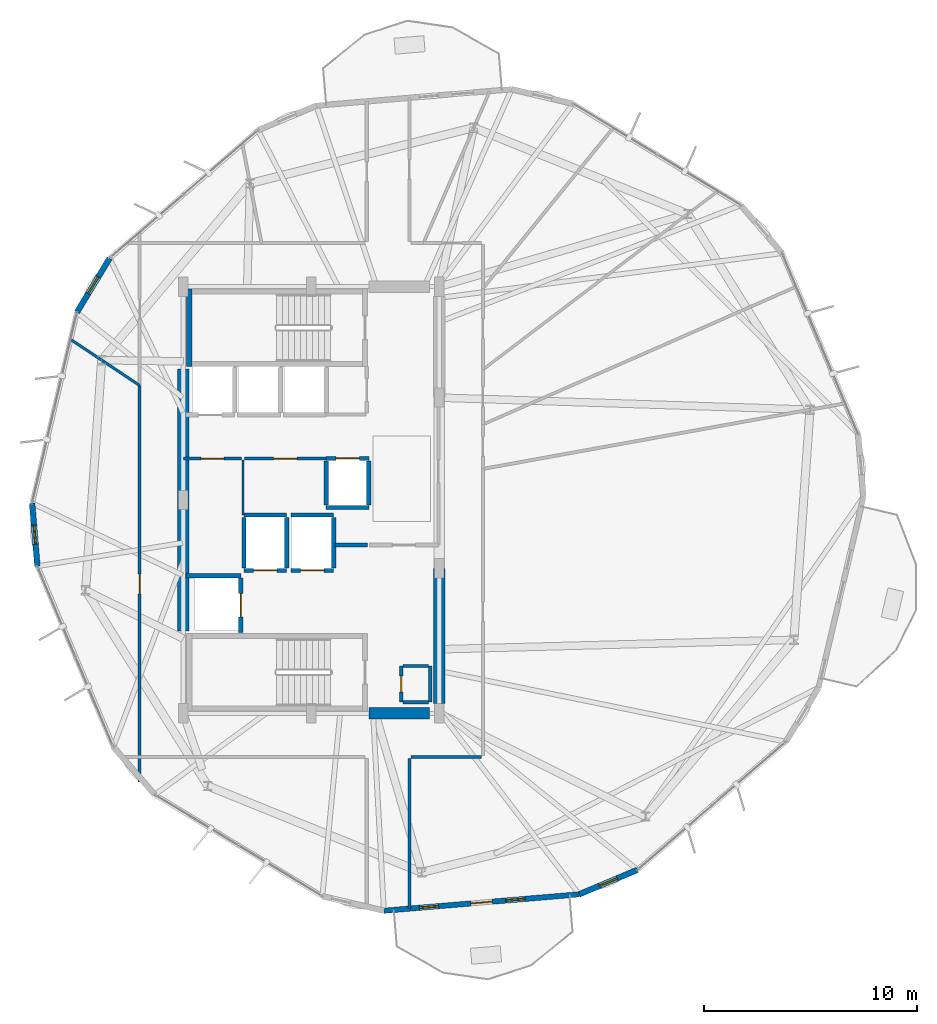
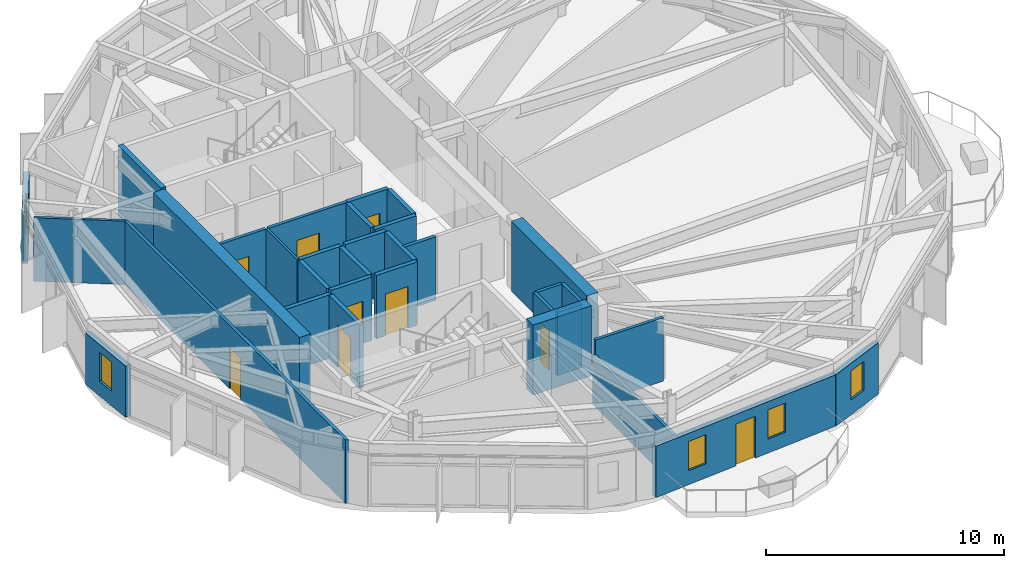
# One storey, part 22 of 27: 33 walls, 9 doors, 5 windows, 14 openings.
"""IFC4 building model written with IfcOpenShell, lengths in metres."""

from ifc_helpers import new_model, si_unit, direction, frame, frame_2d, origin, place, context, subcontext, project, spatial, rectangle, extrude, material, layer, layer_set, type_object, element, fill, save


model = new_model("IFC4")

# Units and contexts
model_context = context("Model", 3, precision=1e-05, world=origin(), true_north=direction((0.0, 1.0)))
body_context = subcontext(model_context, "Body", "Model", "MODEL_VIEW")
ifc_project = project(units=[si_unit("LENGTHUNIT", "METRE"), si_unit("AREAUNIT", "SQUARE_METRE"), si_unit("VOLUMEUNIT", "CUBIC_METRE"), si_unit("PLANEANGLEUNIT", "RADIAN"), si_unit("MASSUNIT", "GRAM", prefix="KILO")], contexts=[model_context])

# Site, building, storey
site_placement = place(None, origin())
site = spatial("IfcSite", under=ifc_project, at=site_placement, CompositionType="ELEMENT")
building_placement = place(site_placement, origin())
building = spatial("IfcBuilding", under=site, at=building_placement, Name="Soratama Intermodal Tower", CompositionType="ELEMENT")
storey_placement = place(building_placement, frame((0.0, 0.0, 182.199951171875)))
storey = spatial("IfcBuildingStorey", under=building, at=storey_placement, Name="L45", CompositionType="ELEMENT", Elevation=182.199951171875)

# Wall, openings, door, windows
ifc_material_1 = material(Name="Concrete f'c 42 MPa", Category="concrete")
ifc_layer_1 = layer(ifc_material_1, 0.25)
ifc_layer_set_1 = layer_set([ifc_layer_1], Name="Concrete f'c 42 MPa")
wall_type_1 = type_object("IfcWallType", Name="EW-BAL-250", PredefinedType="SOLIDWALL", material=ifc_layer_set_1)
wall_1_placement = place(storey_placement, frame((42.0068359375, 5.742919921875, 0.0), z_axis=(0.0, 0.0, 1.0), x_axis=(0.996493149332, 0.083674388759, 0.0)))
wall_1 = element("IfcWall", 1, at=wall_1_placement, inside=storey, type_object=wall_type_1, Name="L45 Terrace Wall F07", PredefinedType="SOLIDWALL", context=body_context, shape_type="SweptSolid", body=[
    extrude(rectangle(XDim=9.18798828125, YDim=0.25, at=frame_2d((4.593994140625, 0.0))), origin(), (0.0, 0.0, 1.0), 2.63916015625),
])
opening_1_placement = place(wall_1_placement, frame((4.093994140625, 0.0, 0.0)))
opening_1 = element("IfcOpeningElement", 2, at=opening_1_placement, cuts=wall_1, Name="Opening ED-2", PredefinedType="OPENING", context=body_context, shape_type="SweptSolid", body=[
    extrude(rectangle(XDim=1.0, YDim=2.14990234375, at=frame_2d((0.5, 1.074951171875))), frame((0.0, 0.135009765625, 0.0), z_axis=(0.0, -1.0, 0.0), x_axis=(1.0, 0.0, 0.0)), (0.0, 0.0, 1.0), 0.27001953125),
])
opening_2_placement = place(wall_1_placement, frame((1.673095703125, 0.0, 0.719970703125)))
opening_2 = element("IfcOpeningElement", 3, at=opening_2_placement, cuts=wall_1, Name="Opening WN-6", PredefinedType="OPENING", context=body_context, shape_type="SweptSolid", body=[
    extrude(rectangle(XDim=0.89990234375, YDim=1.5, at=frame_2d((0.449951171875, 0.75))), frame((0.0, 0.135009765625, 0.0), z_axis=(0.0, -1.0, 0.0), x_axis=(1.0, 0.0, 0.0)), (0.0, 0.0, 1.0), 0.27001953125),
])
opening_3_placement = place(wall_1_placement, frame((5.734130859375, 0.0, 0.719970703125)))
opening_3 = element("IfcOpeningElement", 4, at=opening_3_placement, cuts=wall_1, Name="Opening WN-6", PredefinedType="OPENING", context=body_context, shape_type="SweptSolid", body=[
    extrude(rectangle(XDim=0.89990234375, YDim=1.5, at=frame_2d((0.449951171875, 0.75))), frame((0.0, 0.135009765625, 0.0), z_axis=(0.0, -1.0, 0.0), x_axis=(1.0, 0.0, 0.0)), (0.0, 0.0, 1.0), 0.27001953125),
])
ifc_material_2 = material(Name="Double-glazed aluminium door", Category="aluminium")
door_type_1 = type_object("IfcDoorType", Name="DR-BAL-1000", OperationType="NOTDEFINED", PredefinedType="DOOR", material=ifc_material_2)
door_1_placement = place(opening_1_placement, origin())
door_1 = element("IfcDoor", 5, at=door_1_placement, inside=storey, type_object=door_type_1, Name="L45 Balcony Door F07", OperationType="SINGLE_SWING_LEFT", OverallHeight=2.14990234375, OverallWidth=1.0, PredefinedType="DOOR", context=body_context, shape_type="SweptSolid", body=[
    extrude(rectangle(XDim=1.0, YDim=2.14990234375, at=frame_2d((0.5, 1.074951171875))), frame((0.0, 0.02490234375, 0.0), z_axis=(0.0, -1.0, 0.0), x_axis=(1.0, 0.0, 0.0)), (0.0, 0.0, 1.0), 0.050048828125),
])
fill(opening_1, door_1)
ifc_material_3 = material(Name="Double-glazed aluminium window", Category="aluminium")
window_type = type_object("IfcWindowType", Name="WN-FAC-900", PartitioningType="SINGLE_PANEL", PredefinedType="WINDOW", material=ifc_material_3)
window_1_placement = place(opening_2_placement, origin())
window_1 = element("IfcWindow", 6, at=window_1_placement, inside=storey, type_object=window_type, Name="L45 Window A F07", OverallHeight=1.5, OverallWidth=0.89990234375, PartitioningType="SINGLE_PANEL", PredefinedType="WINDOW", context=body_context, shape_type="SweptSolid", body=[
    extrude(rectangle(XDim=0.89990234375, YDim=1.5, at=frame_2d((0.449951171875, 0.75))), frame((0.0, 0.030029296875, 0.0), z_axis=(0.0, -1.0, 0.0), x_axis=(1.0, 0.0, 0.0)), (0.0, 0.0, 1.0), 0.06005859375),
])
fill(opening_2, window_1)
window_2_placement = place(opening_3_placement, origin())
window_2 = element("IfcWindow", 7, at=window_2_placement, inside=storey, type_object=window_type, Name="L45 Window B F07", OverallHeight=1.5, OverallWidth=0.89990234375, PartitioningType="SINGLE_PANEL", PredefinedType="WINDOW", context=body_context, shape_type="SweptSolid", body=[
    extrude(rectangle(XDim=0.89990234375, YDim=1.5, at=frame_2d((0.449951171875, 0.75))), frame((0.0, 0.030029296875, 0.0), z_axis=(0.0, -1.0, 0.0), x_axis=(1.0, 0.0, 0.0)), (0.0, 0.0, 1.0), 0.06005859375),
])
fill(opening_3, window_2)

# Wall, opening, window
ifc_material_4 = material(Name="Concrete f'c 42 MPa", Category="concrete")
ifc_layer_2 = layer(ifc_material_4, 0.27001953125)
ifc_layer_set_2 = layer_set([ifc_layer_2], Name="Concrete f'c 42 MPa")
wall_type_2 = type_object("IfcWallType", Name="EW-CRN-270", PredefinedType="SOLIDWALL", material=ifc_layer_set_2)
wall_2_placement = place(storey_placement, frame((29.147216796875, 36.3349609375, 0.0), z_axis=(0.0, 0.0, 1.0), x_axis=(-0.518037235883, -0.855358066683, 0.0)))
wall_2 = element("IfcWall", 8, at=wall_2_placement, inside=storey, type_object=wall_type_2, Name="L45 Corner Closure Wall 03", PredefinedType="SOLIDWALL", context=body_context, shape_type="SweptSolid", body=[
    extrude(rectangle(XDim=2.966796875, YDim=0.27001953125, at=frame_2d((1.4833984375, 0.0))), origin(), (0.0, 0.0, 1.0), 2.63916015625),
])
opening_4_placement = place(wall_2_placement, frame((1.033203125, 0.0, 0.75)))
opening_4 = element("IfcOpeningElement", 9, at=opening_4_placement, cuts=wall_2, Name="Opening WN-6", PredefinedType="OPENING", context=body_context, shape_type="SweptSolid", body=[
    extrude(rectangle(XDim=0.89990234375, YDim=1.5, at=frame_2d((0.449951171875, 0.75))), frame((0.0, 0.14501953125, 0.0), z_axis=(0.0, -1.0, 0.0), x_axis=(1.0, 0.0, 0.0)), (0.0, 0.0, 1.0), 0.2900390625),
])
window_3_placement = place(opening_4_placement, origin())
window_3 = element("IfcWindow", 10, at=window_3_placement, inside=storey, type_object=window_type, Name="L45 Corner Window 03", OverallHeight=1.5, OverallWidth=0.89990234375, PartitioningType="SINGLE_PANEL", PredefinedType="WINDOW", context=body_context, shape_type="SweptSolid", body=[
    extrude(rectangle(XDim=0.89990234375, YDim=1.5, at=frame_2d((0.449951171875, 0.75))), frame((0.0, 0.030029296875, 0.0), z_axis=(0.0, -1.0, 0.0), x_axis=(1.0, 0.0, 0.0)), (0.0, 0.0, 1.0), 0.06005859375),
])
fill(opening_4, window_3)

wall_3_placement = place(storey_placement, frame((25.51220703125, 24.85205078125, 0.0), z_axis=(0.0, 0.0, 1.0), x_axis=(0.083699323031, -0.996491055316, 0.0)))
wall_3 = element("IfcWall", 11, at=wall_3_placement, inside=storey, type_object=wall_type_2, Name="L45 Corner Closure Wall 04", PredefinedType="SOLIDWALL", context=body_context, shape_type="SweptSolid", body=[
    extrude(rectangle(XDim=2.966552734375, YDim=0.27001953125, at=frame_2d((1.4833984375, 0.0))), origin(), (0.0, 0.0, 1.0), 2.63916015625),
])
opening_5_placement = place(wall_3_placement, frame((1.033203125, 0.0, 0.75)))
opening_5 = element("IfcOpeningElement", 12, at=opening_5_placement, cuts=wall_3, Name="Opening WN-6", PredefinedType="OPENING", context=body_context, shape_type="SweptSolid", body=[
    extrude(rectangle(XDim=0.89990234375, YDim=1.5, at=frame_2d((0.449951171875, 0.75))), frame((0.0, 0.14501953125, 0.0), z_axis=(0.0, -1.0, 0.0), x_axis=(1.0, 0.0, 0.0)), (0.0, 0.0, 1.0), 0.2900390625),
])
window_4_placement = place(opening_5_placement, origin())
window_4 = element("IfcWindow", 13, at=window_4_placement, inside=storey, type_object=window_type, Name="L45 Corner Window 04", OverallHeight=1.5, OverallWidth=0.89990234375, PartitioningType="SINGLE_PANEL", PredefinedType="WINDOW", context=body_context, shape_type="SweptSolid", body=[
    extrude(rectangle(XDim=0.89990234375, YDim=1.5, at=frame_2d((0.449951171875, 0.75))), frame((0.0, 0.030029296875, 0.0), z_axis=(0.0, -1.0, 0.0), x_axis=(1.0, 0.0, 0.0)), (0.0, 0.0, 1.0), 0.06005859375),
])
fill(opening_5, window_4)

wall_4_placement = place(storey_placement, frame((51.16259765625, 6.51171875, 0.0), z_axis=(0.0, 0.0, 1.0), x_axis=(0.921859835558, 0.387523474883, 0.0)))
wall_4 = element("IfcWall", 14, at=wall_4_placement, inside=storey, type_object=wall_type_2, Name="L45 Corner Closure Wall 07", PredefinedType="SOLIDWALL", context=body_context, shape_type="SweptSolid", body=[
    extrude(rectangle(XDim=2.966796875, YDim=0.27001953125, at=frame_2d((1.4833984375, 0.0))), origin(), (0.0, 0.0, 1.0), 2.63916015625),
])
opening_6_placement = place(wall_4_placement, frame((1.033203125, 0.0, 0.75)))
opening_6 = element("IfcOpeningElement", 15, at=opening_6_placement, cuts=wall_4, Name="Opening WN-6", PredefinedType="OPENING", context=body_context, shape_type="SweptSolid", body=[
    extrude(rectangle(XDim=0.89990234375, YDim=1.5, at=frame_2d((0.449951171875, 0.75))), frame((0.0, 0.14501953125, 0.0), z_axis=(0.0, -1.0, 0.0), x_axis=(1.0, 0.0, 0.0)), (0.0, 0.0, 1.0), 0.2900390625),
])
window_5_placement = place(opening_6_placement, origin())
window_5 = element("IfcWindow", 16, at=window_5_placement, inside=storey, type_object=window_type, Name="L45 Corner Window 07", OverallHeight=1.5, OverallWidth=0.89990234375, PartitioningType="SINGLE_PANEL", PredefinedType="WINDOW", context=body_context, shape_type="SweptSolid", body=[
    extrude(rectangle(XDim=0.89990234375, YDim=1.5, at=frame_2d((0.449951171875, 0.75))), frame((0.0, 0.030029296875, 0.0), z_axis=(0.0, -1.0, 0.0), x_axis=(1.0, 0.0, 0.0)), (0.0, 0.0, 1.0), 0.06005859375),
])
fill(opening_6, window_5)

# Walls
ifc_material_5 = material(Name="Fire-rated gypsum stud partition", Category="concrete")
ifc_layer_3 = layer(ifc_material_5, 0.14990234375)
ifc_layer_set_3 = layer_set([ifc_layer_3], Name="Fire-rated gypsum stud partition")
wall_type_3 = type_object("IfcWallType", Name="IW-PART-R150", PredefinedType="PARTITIONING", material=ifc_layer_set_3)
for number, where, z_axis, x_axis, name in (
    (17, (42.89990234375, 15.52001953125, 0.0), (0.0, 0.0, 1.0), (1.0, 0.0, 0.0), "L45 Riser Wall S"),
    (18, (42.89990234375, 17.219970703125, 0.0), (0.0, 0.0, 1.0), (1.0, 0.0, 0.0), "L45 Riser Wall N"),
):
    element("IfcWall", number, at=place(storey_placement, frame(where, z_axis=z_axis, x_axis=x_axis)), inside=storey, type_object=wall_type_3, Name=name, PredefinedType="PARTITIONING", context=body_context, shape_type="SweptSolid", body=[
        extrude(rectangle(XDim=1.2001953125, YDim=0.14990234375, at=frame_2d((0.60009765625, 0.0))), origin(), (0.0, 0.0, 1.0), 3.260009765625),
    ])
wall_5_placement = place(storey_placement, frame((44.179931640625, 15.52001953125, 0.0), z_axis=(0.0, 0.0, 1.0), x_axis=(0.0, 1.0, 0.0)))
element("IfcWall", 19, at=wall_5_placement, inside=storey, type_object=wall_type_3, Name="L45 Riser Wall E", PredefinedType="PARTITIONING", context=body_context, shape_type="SweptSolid", body=[
    extrude(rectangle(XDim=1.699951171875, YDim=0.14990234375, at=frame_2d((0.85009765625, 0.0))), origin(), (0.0, 0.0, 1.0), 3.260009765625),
])

# Wall, opening, door
wall_6_placement = place(storey_placement, frame((42.820068359375, 15.52001953125, 0.0), z_axis=(0.0, 0.0, 1.0), x_axis=(0.0, 1.0, 0.0)))
wall_6 = element("IfcWall", 20, at=wall_6_placement, inside=storey, type_object=wall_type_3, Name="L45 Riser Front Wall", PredefinedType="PARTITIONING", context=body_context, shape_type="SweptSolid", body=[
    extrude(rectangle(XDim=1.699951171875, YDim=0.14990234375, at=frame_2d((0.85009765625, 0.0))), origin(), (0.0, 0.0, 1.0), 3.260009765625),
])
opening_7_placement = place(wall_6_placement, frame((0.469970703125, 0.0, 0.0)))
opening_7 = element("IfcOpeningElement", 21, at=opening_7_placement, cuts=wall_6, Name="Opening TD-1", PredefinedType="OPENING", context=body_context, shape_type="SweptSolid", body=[
    extrude(rectangle(XDim=0.760009765625, YDim=2.0, at=frame_2d((0.3798828125, 1.0))), frame((0.0, 0.0849609375, 0.0), z_axis=(0.0, -1.0, 0.0), x_axis=(1.0, 0.0, 0.0)), (0.0, 0.0, 1.0), 0.169921875),
])
ifc_material_6 = material(Name="Steel fire door", Category="steel")
door_type_2 = type_object("IfcDoorType", Name="DR-RISER-TRAP", OperationType="NOTDEFINED", PredefinedType="TRAPDOOR", material=ifc_material_6)
door_2_placement = place(opening_7_placement, origin())
door_2 = element("IfcDoor", 22, at=door_2_placement, inside=storey, type_object=door_type_2, Name="L45 Riser Inspection Door", OperationType="SINGLE_SWING_LEFT", OverallHeight=2.0, OverallWidth=0.760009765625, PredefinedType="TRAPDOOR", context=body_context, shape_type="SweptSolid", body=[
    extrude(rectangle(XDim=0.760009765625, YDim=2.0, at=frame_2d((0.3798828125, 1.0))), frame((0.0, 0.02490234375, 0.0), z_axis=(0.0, -1.0, 0.0), x_axis=(1.0, 0.0, 0.0)), (0.0, 0.0, 1.0), 0.050048828125),
])
fill(opening_7, door_2)

wall_7_placement = place(storey_placement, frame((30.550048828125, 11.780029296875, 0.0), z_axis=(0.0, 0.0, 1.0), x_axis=(0.0, 1.0, 0.0)))
wall_7 = element("IfcWall", 23, at=wall_7_placement, inside=storey, type_object=wall_type_3, Name="L45 Partition W-L45-TP001", PredefinedType="PARTITIONING", context=body_context, shape_type="SweptSolid", body=[
    extrude(rectangle(XDim=18.590087890625, YDim=0.14990234375, at=frame_2d((9.294921875, 0.0))), origin(), (0.0, 0.0, 1.0), 3.260009765625),
])
opening_8_placement = place(wall_7_placement, frame((8.820068359375, 0.0, 0.0)))
opening_8 = element("IfcOpeningElement", 24, at=opening_8_placement, cuts=wall_7, Name="Opening ID-6", PredefinedType="OPENING", context=body_context, shape_type="SweptSolid", body=[
    extrude(rectangle(XDim=0.919921875, YDim=2.1201171875, at=frame_2d((0.4599609375, 1.06005859375))), frame((0.0, 0.0849609375, 0.0), z_axis=(0.0, -1.0, 0.0), x_axis=(1.0, 0.0, 0.0)), (0.0, 0.0, 1.0), 0.169921875),
])
ifc_material_7 = material(Name="Solid hardwood acoustic door", Category="wood")
door_type_3 = type_object("IfcDoorType", Name="DR-ROOM-920", OperationType="NOTDEFINED", PredefinedType="DOOR", material=ifc_material_7)
door_3_placement = place(opening_8_placement, origin())
door_3 = element("IfcDoor", 25, at=door_3_placement, inside=storey, type_object=door_type_3, Name="L45 Door D-L45-TP001", OperationType="SINGLE_SWING_RIGHT", OverallHeight=2.1201171875, OverallWidth=0.919921875, PredefinedType="DOOR", context=body_context, shape_type="SweptSolid", body=[
    extrude(rectangle(XDim=0.919921875, YDim=2.1201171875, at=frame_2d((0.4599609375, 1.06005859375))), frame((0.0, 0.02490234375, 0.0), z_axis=(0.0, -1.0, 0.0), x_axis=(1.0, 0.0, 0.0)), (0.0, 0.0, 1.0), 0.050048828125),
])
fill(opening_8, door_3)

# Wall
wall_8_placement = place(storey_placement, frame((43.199951171875, 12.8798828125, 0.0), z_axis=(0.0, 0.0, 1.0), x_axis=(0.0, -1.0, 0.0)))
element("IfcWall", 26, at=wall_8_placement, inside=storey, type_object=wall_type_3, Name="L45 Partition W-L45-TP011", PredefinedType="PARTITIONING", context=body_context, shape_type="SweptSolid", body=[
    extrude(rectangle(XDim=7.036865234375, YDim=0.14990234375, at=frame_2d((3.5185546875, 0.0))), origin(), (0.0, 0.0, 1.0), 2.554931640625),
])

# Wall, opening, door
wall_9_placement = place(storey_placement, frame((39.300048828125, 26.93994140625, 0.0), z_axis=(0.0, 0.0, 1.0), x_axis=(-1.0, 0.0, 0.0)))
wall_9 = element("IfcWall", 27, at=wall_9_placement, inside=storey, type_object=wall_type_3, Name="L45 Partition W-L45-TP019", PredefinedType="PARTITIONING", context=body_context, shape_type="SweptSolid", body=[
    extrude(rectangle(XDim=3.840087890625, YDim=0.14990234375, at=frame_2d((1.919921875, 0.0))), origin(), (0.0, 0.0, 1.0), 3.260009765625),
])
opening_9_placement = place(wall_9_placement, frame((1.3798828125, 0.0, 0.0)))
opening_9 = element("IfcOpeningElement", 28, at=opening_9_placement, cuts=wall_9, Name="Opening ID-1", PredefinedType="OPENING", context=body_context, shape_type="SweptSolid", body=[
    extrude(rectangle(XDim=1.080078125, YDim=2.14990234375, at=frame_2d((0.5400390625, 1.074951171875))), frame((0.0, 0.0849609375, 0.0), z_axis=(0.0, -1.0, 0.0), x_axis=(1.0, 0.0, 0.0)), (0.0, 0.0, 1.0), 0.169921875),
])
ifc_material_8 = material(Name="Solid hardwood acoustic door", Category="wood")
door_type_4 = type_object("IfcDoorType", Name="DR-LOB-FD60", OperationType="NOTDEFINED", PredefinedType="DOOR", material=ifc_material_8)
door_4_placement = place(opening_9_placement, origin())
door_4 = element("IfcDoor", 29, at=door_4_placement, inside=storey, type_object=door_type_4, Name="L45 Door D-L45-TP007", OperationType="SINGLE_SWING_RIGHT", OverallHeight=2.14990234375, OverallWidth=1.080078125, PredefinedType="DOOR", context=body_context, shape_type="SweptSolid", body=[
    extrude(rectangle(XDim=1.080078125, YDim=2.14990234375, at=frame_2d((0.5400390625, 1.074951171875))), frame((0.0, 0.02490234375, 0.0), z_axis=(0.0, -1.0, 0.0), x_axis=(1.0, 0.0, 0.0)), (0.0, 0.0, 1.0), 0.050048828125),
])
fill(opening_9, door_4)

# Wall
wall_10_placement = place(storey_placement, frame((46.580078125, 12.949951171875, 0.0), z_axis=(0.0, 0.0, 1.0), x_axis=(-1.0, 0.0, 0.0)))
element("IfcWall", 30, at=wall_10_placement, inside=storey, type_object=wall_type_3, Name="L45 Partition W-L45-TP021", PredefinedType="PARTITIONING", context=body_context, shape_type="SweptSolid", body=[
    extrude(rectangle(XDim=3.31005859375, YDim=0.14990234375, at=frame_2d((1.655029296875, 0.0))), origin(), (0.0, 0.0, 1.0), 3.260009765625),
])

# Wall, opening, door
wall_11_placement = place(storey_placement, frame((35.340087890625, 26.93994140625, 0.0), z_axis=(0.0, 0.0, 1.0), x_axis=(-1.0, 0.0, 0.0)))
wall_11 = element("IfcWall", 31, at=wall_11_placement, inside=storey, type_object=wall_type_3, Name="L45 Partition W-L45-TP023", PredefinedType="PARTITIONING", context=body_context, shape_type="SweptSolid", body=[
    extrude(rectangle(XDim=2.739990234375, YDim=0.14990234375, at=frame_2d((1.3701171875, 0.0))), origin(), (0.0, 0.0, 1.0), 3.260009765625),
])
opening_10_placement = place(wall_11_placement, frame((0.830078125, 0.0, 0.0)))
opening_10 = element("IfcOpeningElement", 32, at=opening_10_placement, cuts=wall_11, Name="Opening ID-1", PredefinedType="OPENING", context=body_context, shape_type="SweptSolid", body=[
    extrude(rectangle(XDim=1.080078125, YDim=2.14990234375, at=frame_2d((0.5400390625, 1.074951171875))), frame((0.0, 0.0849609375, 0.0), z_axis=(0.0, -1.0, 0.0), x_axis=(1.0, 0.0, 0.0)), (0.0, 0.0, 1.0), 0.169921875),
])
door_5_placement = place(opening_10_placement, origin())
door_5 = element("IfcDoor", 33, at=door_5_placement, inside=storey, type_object=door_type_4, Name="L45 Door D-L45-TP010", OperationType="SINGLE_SWING_LEFT", OverallHeight=2.14990234375, OverallWidth=1.080078125, PredefinedType="DOOR", context=body_context, shape_type="SweptSolid", body=[
    extrude(rectangle(XDim=1.080078125, YDim=2.14990234375, at=frame_2d((0.5400390625, 1.074951171875))), frame((0.0, 0.02490234375, 0.0), z_axis=(0.0, -1.0, 0.0), x_axis=(1.0, 0.0, 0.0)), (0.0, 0.0, 1.0), 0.050048828125),
])
fill(opening_10, door_5)

# Walls
ifc_material_9 = material(Name="Fire-rated gypsum stud partition", Category="concrete")
ifc_layer_4 = layer(ifc_material_9, 0.169921875)
ifc_layer_set_4 = layer_set([ifc_layer_4], Name="Fire-rated gypsum stud partition")
wall_type_4 = type_object("IfcWallType", Name="IW-PART-R170", PredefinedType="PARTITIONING", material=ifc_layer_set_4)
wall_12_placement = place(storey_placement, frame((39.719970703125, 22.889892578125, 0.0), z_axis=(0.0, 0.0, 1.0), x_axis=(1.0, 0.0, 0.0)))
element("IfcWall", 34, at=wall_12_placement, inside=storey, type_object=wall_type_4, Name="L45 Partition W-L45-TP031", PredefinedType="PARTITIONING", context=body_context, shape_type="SweptSolid", body=[
    extrude(rectangle(XDim=1.52001953125, YDim=0.169921875, at=frame_2d((0.760009765625, 0.0))), origin(), (0.0, 0.0, 1.0), 3.260009765625),
])
ifc_material_10 = material(Name="Fire-rated gypsum stud partition", Category="concrete")
ifc_layer_5 = layer(ifc_material_10, 0.110107421875)
ifc_layer_set_5 = layer_set([ifc_layer_5], Name="Fire-rated gypsum stud partition")
wall_type_5 = type_object("IfcWallType", Name="IW-PART-S110", PredefinedType="PARTITIONING", material=ifc_layer_set_5)
wall_13_placement = place(storey_placement, frame((35.39990234375, 26.8798828125, 0.0), z_axis=(0.0, 0.0, 1.0), x_axis=(0.0, -1.0, 0.0)))
element("IfcWall", 35, at=wall_13_placement, inside=storey, type_object=wall_type_5, Name="L45 Partition W-L45-TP025", PredefinedType="PARTITIONING", context=body_context, shape_type="SweptSolid", body=[
    extrude(rectangle(XDim=2.579833984375, YDim=0.110107421875, at=frame_2d((1.2900390625, 0.0))), origin(), (0.0, 0.0, 1.0), 3.260009765625),
])
ifc_material_11 = material(Name="Fire-rated gypsum stud partition", Category="concrete")
ifc_layer_6 = layer(ifc_material_11, 0.1298828125)
ifc_layer_set_6 = layer_set([ifc_layer_6], Name="Fire-rated gypsum stud partition")
wall_type_6 = type_object("IfcWallType", Name="IW-PART-S130", PredefinedType="PARTITIONING", material=ifc_layer_set_6)
wall_14_placement = place(storey_placement, frame((30.550048828125, 30.3701171875, 0.0), z_axis=(0.0, 0.0, 1.0), x_axis=(-0.83171237319, 0.555206743729, 0.0)))
element("IfcWall", 36, at=wall_14_placement, inside=storey, type_object=wall_type_6, Name="L45 Partition W-L45-TP018", PredefinedType="PARTITIONING", context=body_context, shape_type="SweptSolid", body=[
    extrude(rectangle(XDim=3.89208984375, YDim=0.1298828125, at=frame_2d((1.946044921875, 0.0))), origin(), (0.0, 0.0, 1.0), 3.260009765625),
])

# Wall, opening, door
ifc_material_12 = material(Name="Concrete f'c 42 MPa", Category="concrete")
ifc_layer_7 = layer(ifc_material_12, 0.199951171875)
ifc_layer_set_7 = layer_set([ifc_layer_7], Name="Concrete f'c 42 MPa")
wall_type_7 = type_object("IfcWallType", Name="IW-SHAFT-200", PredefinedType="SOLIDWALL", material=ifc_layer_set_7)
wall_15_placement = place(storey_placement, frame((35.449951171875, 21.699951171875, 0.0), z_axis=(0.0, 0.0, 1.0), x_axis=(1.0, 0.0, 0.0)))
wall_15 = element("IfcWall", 37, at=wall_15_placement, inside=storey, type_object=wall_type_7, Name="L45 FFL-1 Hoistway Wall S", PredefinedType="SOLIDWALL", context=body_context, shape_type="SweptSolid", body=[
    extrude(rectangle(XDim=2.0, YDim=0.199951171875, at=frame_2d((1.0, 0.0))), origin(), (0.0, 0.0, 1.0), 3.260009765625),
])
opening_11_placement = place(wall_15_placement, frame((0.449951171875, 0.0, 0.0)))
opening_11 = element("IfcOpeningElement", 38, at=opening_11_placement, cuts=wall_15, Name="Opening LD-1", PredefinedType="OPENING", context=body_context, shape_type="SweptSolid", body=[
    extrude(rectangle(XDim=1.10009765625, YDim=2.14990234375, at=frame_2d((0.550048828125, 1.074951171875))), frame((0.0, 0.10986328125, 0.0), z_axis=(0.0, -1.0, 0.0), x_axis=(1.0, 0.0, 0.0)), (0.0, 0.0, 1.0), 0.219970703125),
])
ifc_material_13 = material(Name="Steel fire door", Category="steel")
door_type_5 = type_object("IfcDoorType", Name="DR-LIFT-SLIDE", OperationType="NOTDEFINED", PredefinedType="DOOR", material=ifc_material_13)
door_6_placement = place(opening_11_placement, origin())
door_6 = element("IfcDoor", 39, at=door_6_placement, inside=storey, type_object=door_type_5, Name="L45 FFL-1 Sliding Landing Door", OperationType="SLIDING_TO_LEFT", OverallHeight=2.14990234375, OverallWidth=1.10009765625, PredefinedType="DOOR", context=body_context, shape_type="SweptSolid", body=[
    extrude(rectangle(XDim=1.10009765625, YDim=2.14990234375, at=frame_2d((0.550048828125, 1.074951171875))), frame((0.0, 0.02490234375, 0.0), z_axis=(0.0, -1.0, 0.0), x_axis=(1.0, 0.0, 0.0)), (0.0, 0.0, 1.0), 0.050048828125),
])
fill(opening_11, door_6)

# Walls
wall_16_placement = place(storey_placement, frame((35.449951171875, 24.300048828125, 0.0), z_axis=(0.0, 0.0, 1.0), x_axis=(1.0, 0.0, 0.0)))
element("IfcWall", 40, at=wall_16_placement, inside=storey, type_object=wall_type_7, Name="L45 FFL-1 Hoistway Wall N", PredefinedType="SOLIDWALL", context=body_context, shape_type="SweptSolid", body=[
    extrude(rectangle(XDim=2.0, YDim=0.199951171875, at=frame_2d((1.0, 0.0))), origin(), (0.0, 0.0, 1.0), 3.260009765625),
])
for number, where, z_axis, x_axis, name in (
    (41, (35.449951171875, 21.81005859375, 0.0), (0.0, 0.0, 1.0), (0.0, 1.0, 0.0), "L45 FFL-1 Hoistway Wall W"),
    (42, (37.449951171875, 21.81005859375, 0.0), (0.0, 0.0, 1.0), (0.0, 1.0, 0.0), "L45 FFL-1 Hoistway Wall E"),
):
    element("IfcWall", number, at=place(storey_placement, frame(where, z_axis=z_axis, x_axis=x_axis)), inside=storey, type_object=wall_type_7, Name=name, PredefinedType="SOLIDWALL", context=body_context, shape_type="SweptSolid", body=[
        extrude(rectangle(XDim=2.3798828125, YDim=0.199951171875, at=frame_2d((1.18994140625, 0.0))), origin(), (0.0, 0.0, 1.0), 3.260009765625),
    ])

# Wall, opening, door
wall_17_placement = place(storey_placement, frame((37.64990234375, 21.699951171875, 0.0), z_axis=(0.0, 0.0, 1.0), x_axis=(1.0, 0.0, 0.0)))
wall_17 = element("IfcWall", 43, at=wall_17_placement, inside=storey, type_object=wall_type_7, Name="L45 FFL-2 Hoistway Wall S", PredefinedType="SOLIDWALL", context=body_context, shape_type="SweptSolid", body=[
    extrude(rectangle(XDim=2.0, YDim=0.199951171875, at=frame_2d((1.0, 0.0))), origin(), (0.0, 0.0, 1.0), 3.260009765625),
])
opening_12_placement = place(wall_17_placement, frame((0.449951171875, 0.0, 0.0)))
opening_12 = element("IfcOpeningElement", 44, at=opening_12_placement, cuts=wall_17, Name="Opening LD-1", PredefinedType="OPENING", context=body_context, shape_type="SweptSolid", body=[
    extrude(rectangle(XDim=1.10009765625, YDim=2.14990234375, at=frame_2d((0.550048828125, 1.074951171875))), frame((0.0, 0.10986328125, 0.0), z_axis=(0.0, -1.0, 0.0), x_axis=(1.0, 0.0, 0.0)), (0.0, 0.0, 1.0), 0.219970703125),
])
door_7_placement = place(opening_12_placement, origin())
door_7 = element("IfcDoor", 45, at=door_7_placement, inside=storey, type_object=door_type_5, Name="L45 FFL-2 Sliding Landing Door", OperationType="SLIDING_TO_LEFT", OverallHeight=2.14990234375, OverallWidth=1.10009765625, PredefinedType="DOOR", context=body_context, shape_type="SweptSolid", body=[
    extrude(rectangle(XDim=1.10009765625, YDim=2.14990234375, at=frame_2d((0.550048828125, 1.074951171875))), frame((0.0, 0.02490234375, 0.0), z_axis=(0.0, -1.0, 0.0), x_axis=(1.0, 0.0, 0.0)), (0.0, 0.0, 1.0), 0.050048828125),
])
fill(opening_12, door_7)

# Walls
wall_18_placement = place(storey_placement, frame((37.64990234375, 24.300048828125, 0.0), z_axis=(0.0, 0.0, 1.0), x_axis=(1.0, 0.0, 0.0)))
element("IfcWall", 46, at=wall_18_placement, inside=storey, type_object=wall_type_7, Name="L45 FFL-2 Hoistway Wall N", PredefinedType="SOLIDWALL", context=body_context, shape_type="SweptSolid", body=[
    extrude(rectangle(XDim=2.0, YDim=0.199951171875, at=frame_2d((1.0, 0.0))), origin(), (0.0, 0.0, 1.0), 3.260009765625),
])
wall_19_placement = place(storey_placement, frame((39.64990234375, 21.81005859375, 0.0), z_axis=(0.0, 0.0, 1.0), x_axis=(0.0, 1.0, 0.0)))
element("IfcWall", 47, at=wall_19_placement, inside=storey, type_object=wall_type_7, Name="L45 FFL-2 Hoistway Wall E", PredefinedType="SOLIDWALL", context=body_context, shape_type="SweptSolid", body=[
    extrude(rectangle(XDim=2.3798828125, YDim=0.199951171875, at=frame_2d((1.18994140625, 0.0))), origin(), (0.0, 0.0, 1.0), 3.260009765625),
])
wall_20_placement = place(storey_placement, frame((32.719970703125, 21.449951171875, 0.0), z_axis=(0.0, 0.0, 1.0), x_axis=(1.0, 0.0, 0.0)))
element("IfcWall", 48, at=wall_20_placement, inside=storey, type_object=wall_type_7, Name="L45 SVL-1 Hoistway Wall N", PredefinedType="SOLIDWALL", context=body_context, shape_type="SweptSolid", body=[
    extrude(rectangle(XDim=2.580078125, YDim=0.199951171875, at=frame_2d((1.2900390625, 0.0))), origin(), (0.0, 0.0, 1.0), 3.260009765625),
])

# Wall, opening, door
wall_21_placement = place(storey_placement, frame((35.300048828125, 18.7900390625, 0.0), z_axis=(0.0, 0.0, 1.0), x_axis=(0.0, 1.0, 0.0)))
wall_21 = element("IfcWall", 49, at=wall_21_placement, inside=storey, type_object=wall_type_7, Name="L45 SVL-1 Hoistway Wall E", PredefinedType="SOLIDWALL", context=body_context, shape_type="SweptSolid", body=[
    extrude(rectangle(XDim=2.550048828125, YDim=0.199951171875, at=frame_2d((1.27490234375, 0.0))), origin(), (0.0, 0.0, 1.0), 3.260009765625),
])
opening_13_placement = place(wall_21_placement, frame((0.72509765625, 0.0, 0.0)))
opening_13 = element("IfcOpeningElement", 50, at=opening_13_placement, cuts=wall_21, Name="Opening LD-1", PredefinedType="OPENING", context=body_context, shape_type="SweptSolid", body=[
    extrude(rectangle(XDim=1.10009765625, YDim=2.14990234375, at=frame_2d((0.550048828125, 1.074951171875))), frame((0.0, 0.10986328125, 0.0), z_axis=(0.0, -1.0, 0.0), x_axis=(1.0, 0.0, 0.0)), (0.0, 0.0, 1.0), 0.219970703125),
])
door_8_placement = place(opening_13_placement, origin())
door_8 = element("IfcDoor", 51, at=door_8_placement, inside=storey, type_object=door_type_5, Name="L45 SVL-1 Sliding Landing Door", OperationType="SLIDING_TO_LEFT", OverallHeight=2.14990234375, OverallWidth=1.10009765625, PredefinedType="DOOR", context=body_context, shape_type="SweptSolid", body=[
    extrude(rectangle(XDim=1.10009765625, YDim=2.14990234375, at=frame_2d((0.550048828125, 1.074951171875))), frame((0.0, 0.02490234375, 0.0), z_axis=(0.0, -1.0, 0.0), x_axis=(1.0, 0.0, 0.0)), (0.0, 0.0, 1.0), 0.050048828125),
])
fill(opening_13, door_8)

# Wall
wall_22_placement = place(storey_placement, frame((39.300048828125, 24.64990234375, 0.0), z_axis=(0.0, 0.0, 1.0), x_axis=(1.0, 0.0, 0.0)))
element("IfcWall", 52, at=wall_22_placement, inside=storey, type_object=wall_type_7, Name="L45 PL-M1 Hoistway Wall S", PredefinedType="SOLIDWALL", context=body_context, shape_type="SweptSolid", body=[
    extrude(rectangle(XDim=2.0, YDim=0.199951171875, at=frame_2d((1.0, 0.0))), origin(), (0.0, 0.0, 1.0), 3.260009765625),
])

# Wall, opening, door
wall_23_placement = place(storey_placement, frame((39.300048828125, 26.949951171875, 0.0), z_axis=(0.0, 0.0, 1.0), x_axis=(1.0, 0.0, 0.0)))
wall_23 = element("IfcWall", 53, at=wall_23_placement, inside=storey, type_object=wall_type_7, Name="L45 PL-M1 Hoistway Wall N", PredefinedType="SOLIDWALL", context=body_context, shape_type="SweptSolid", body=[
    extrude(rectangle(XDim=2.0, YDim=0.199951171875, at=frame_2d((1.0, 0.0))), origin(), (0.0, 0.0, 1.0), 3.260009765625),
])
opening_14_placement = place(wall_23_placement, frame((0.449951171875, 0.0, 0.0)))
opening_14 = element("IfcOpeningElement", 54, at=opening_14_placement, cuts=wall_23, Name="Opening LD-1", PredefinedType="OPENING", context=body_context, shape_type="SweptSolid", body=[
    extrude(rectangle(XDim=1.10009765625, YDim=2.14990234375, at=frame_2d((0.550048828125, 1.074951171875))), frame((0.0, 0.10986328125, 0.0), z_axis=(0.0, -1.0, 0.0), x_axis=(1.0, 0.0, 0.0)), (0.0, 0.0, 1.0), 0.219970703125),
])
door_9_placement = place(opening_14_placement, origin())
door_9 = element("IfcDoor", 55, at=door_9_placement, inside=storey, type_object=door_type_5, Name="L45 PL-M1 Sliding Landing Door", OperationType="SLIDING_TO_LEFT", OverallHeight=2.14990234375, OverallWidth=1.10009765625, PredefinedType="DOOR", context=body_context, shape_type="SweptSolid", body=[
    extrude(rectangle(XDim=1.10009765625, YDim=2.14990234375, at=frame_2d((0.550048828125, 1.074951171875))), frame((0.0, 0.02490234375, 0.0), z_axis=(0.0, -1.0, 0.0), x_axis=(1.0, 0.0, 0.0)), (0.0, 0.0, 1.0), 0.050048828125),
])
fill(opening_14, door_9)

# Walls
for number, where, z_axis, x_axis, name in (
    (56, (39.300048828125, 24.760009765625, 0.0), (0.0, 0.0, 1.0), (0.0, 1.0, 0.0), "L45 PL-M1 Hoistway Wall W"),
    (57, (41.300048828125, 24.760009765625, 0.0), (0.0, 0.0, 1.0), (0.0, 1.0, 0.0), "L45 PL-M1 Hoistway Wall E"),
):
    element("IfcWall", number, at=place(storey_placement, frame(where, z_axis=z_axis, x_axis=x_axis)), inside=storey, type_object=wall_type_7, Name=name, PredefinedType="SOLIDWALL", context=body_context, shape_type="SweptSolid", body=[
        extrude(rectangle(XDim=2.080078125, YDim=0.199951171875, at=frame_2d((1.0400390625, 0.0))), origin(), (0.0, 0.0, 1.0), 3.260009765625),
    ])
ifc_material_14 = material(Name="Concrete f'c 56 MPa", Category="concrete")
ifc_layer_8 = layer(ifc_material_14, 0.550048828125)
ifc_layer_set_8 = layer_set([ifc_layer_8], Name="Concrete f'c 56 MPa")
wall_type_8 = type_object("IfcWallType", Name="SW-CORE-550", PredefinedType="SHEAR", material=ifc_layer_set_8)
wall_24_placement = place(storey_placement, frame((32.60009765625, 18.85009765625, 0.0), z_axis=(0.0, 0.0, 1.0), x_axis=(0.0, 1.0, 0.0)))
element("IfcWall", 58, at=wall_24_placement, inside=storey, type_object=wall_type_8, Name="L45 Core Shear Wall CW-WMID", PredefinedType="SHEAR", context=body_context, shape_type="SweptSolid", body=[
    extrude(rectangle(XDim=12.2998046875, YDim=0.550048828125, at=frame_2d((6.14990234375, 0.0))), origin(), (0.0, 0.0, 1.0), 3.60009765625),
])
wall_25_placement = place(storey_placement, frame((41.300048828125, 15.0, 0.0), z_axis=(0.0, 0.0, 1.0), x_axis=(1.0, 0.0, 0.0)))
element("IfcWall", 59, at=wall_25_placement, inside=storey, type_object=wall_type_8, Name="L45 Core Shear Wall CW-SE", PredefinedType="SHEAR", context=body_context, shape_type="SweptSolid", body=[
    extrude(rectangle(XDim=2.849853515625, YDim=0.550048828125, at=frame_2d((1.4248046875, 0.0))), origin(), (0.0, 0.0, 1.0), 3.60009765625),
])
wall_26_placement = place(storey_placement, frame((44.60009765625, 15.449951171875, 0.0), z_axis=(0.0, 0.0, 1.0), x_axis=(0.0, 1.0, 0.0)))
element("IfcWall", 60, at=wall_26_placement, inside=storey, type_object=wall_type_8, Name="L45 Core Shear Wall CW-ES", PredefinedType="SHEAR", context=body_context, shape_type="SweptSolid", body=[
    extrude(rectangle(XDim=6.35009765625, YDim=0.550048828125, at=frame_2d((3.175048828125, 0.0))), origin(), (0.0, 0.0, 1.0), 3.60009765625),
])
ifc_material_15 = material(Name="Concrete f'c 56 MPa", Category="concrete")
ifc_layer_9 = layer(ifc_material_15, 0.239990234375)
ifc_layer_set_9 = layer_set([ifc_layer_9], Name="Concrete f'c 56 MPa")
wall_type_9 = type_object("IfcWallType", Name="SW-STAIR-240", PredefinedType="SHEAR", material=ifc_layer_set_9)
wall_27_placement = place(storey_placement, frame((32.8798828125, 31.260009765625, 0.0), z_axis=(0.0, 0.0, 1.0), x_axis=(0.0, 1.0, 0.0)))
element("IfcWall", 61, at=wall_27_placement, inside=storey, type_object=wall_type_9, Name="L45 ST-2 Shaft Shear Wall W", PredefinedType="SHEAR", context=body_context, shape_type="SweptSolid", body=[
    extrude(rectangle(XDim=3.6298828125, YDim=0.239990234375, at=frame_2d((1.81494140625, 0.0))), origin(), (0.0, 0.0, 1.0), 3.60009765625),
])

save(model, "model.ifc")
